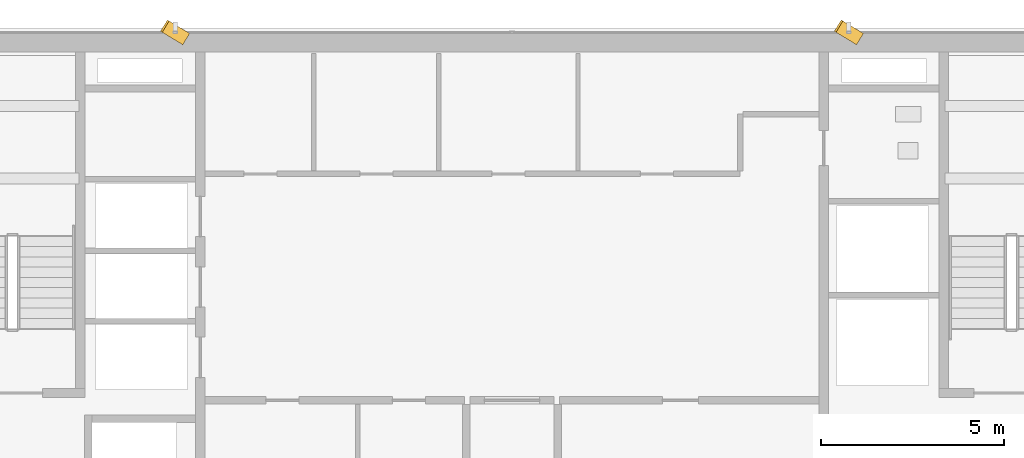
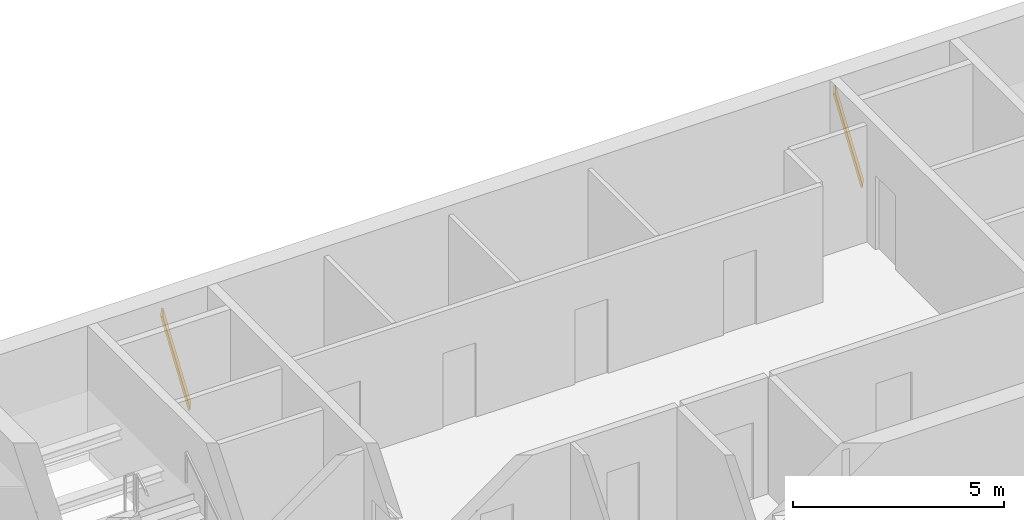
# One storey, part 25 of 26: 2 shading devices.
"""IFC4 building model written with IfcOpenShell, lengths in metres."""

from ifc_helpers import new_model, si_unit, direction, frame, origin, origin_2d, place, context, subcontext, project, spatial, rectangle, extrude, source, transform, mapped, material, material_profile, profile_set, type_object, element, save


model = new_model("IFC4")

# Units and contexts
model_context = context("Model", 3, precision=1e-05, world=origin(), true_north=direction((0.0, 1.0)))
body_context = subcontext(model_context, "Body", "Model", "MODEL_VIEW")
ifc_project = project(units=[si_unit("LENGTHUNIT", "METRE"), si_unit("AREAUNIT", "SQUARE_METRE"), si_unit("VOLUMEUNIT", "CUBIC_METRE"), si_unit("PLANEANGLEUNIT", "RADIAN"), si_unit("MASSUNIT", "GRAM", prefix="KILO")], contexts=[model_context])

# Site, building, storey
site_placement = place(None, origin())
site = spatial("IfcSite", under=ifc_project, at=site_placement, CompositionType="ELEMENT")
building_placement = place(site_placement, origin())
building = spatial("IfcBuilding", under=site, at=building_placement, Name="Sumidabori Civic Tower", CompositionType="ELEMENT")
storey_placement = place(building_placement, frame((0.0, 0.0, 236.0)))
storey = spatial("IfcBuildingStorey", under=building, at=storey_placement, Name="L61", CompositionType="ELEMENT", Elevation=236.0)

# Shading devices
ifc_material = material(Name="Anodised Bronze Aluminium AW-6063-T6", Category="aluminium")
ifc_material_profile = material_profile(ifc_material, rectangle(XDim=0.054931640625, YDim=0.360107421875, at=origin_2d()), Name="BRONZE FIN 360x55")
ifc_profile_set = profile_set([ifc_material_profile], Name="Anodised Bronze Aluminium AW-6063-T6")
shading_device_type = type_object("IfcShadingDeviceType", Name="SH-FIN-360", PredefinedType="USERDEFINED", material=ifc_profile_set)
shared_shape = source(origin(), body_context, "Body", "SweptSolid", [
    extrude(rectangle(XDim=0.054931640625, YDim=0.360107421875, at=origin_2d()), origin(), (0.0, 0.0, 1.0), 2.7685546875),
])
for number, where, z_axis, x_axis, name in (
    (1, (9.465087890625, 23.909912109375, 0.02001953125), (-0.202289930374, 0.122837782481, 0.971591304646), (0.830469701518, -0.504291322674, 0.236665030656), "Bronze Anodised Diagonal Fin L61-01"),
    (2, (-8.905029296875, 23.909912109375, 0.02001953125), (-0.202289930374, 0.122837782481, 0.971591304646), (0.830469701518, -0.504291322674, 0.236665030656), "Bronze Anodised Diagonal Fin L61-03"),
):
    element("IfcShadingDevice", number, at=place(storey_placement, frame(where, z_axis=z_axis, x_axis=x_axis)), inside=storey, type_object=shading_device_type, Name=name, ObjectType="FIN", PredefinedType="USERDEFINED", context=body_context, shape_type="MappedRepresentation", body=[
        mapped(shared_shape, transform((0.0, 0.0, 0.0), x_axis=(1.0, 0.0, 0.0), y_axis=(0.0, 1.0, 0.0), z_axis=(0.0, 0.0, 1.0), scale=1.0)),
    ])

save(model, "model.ifc")
